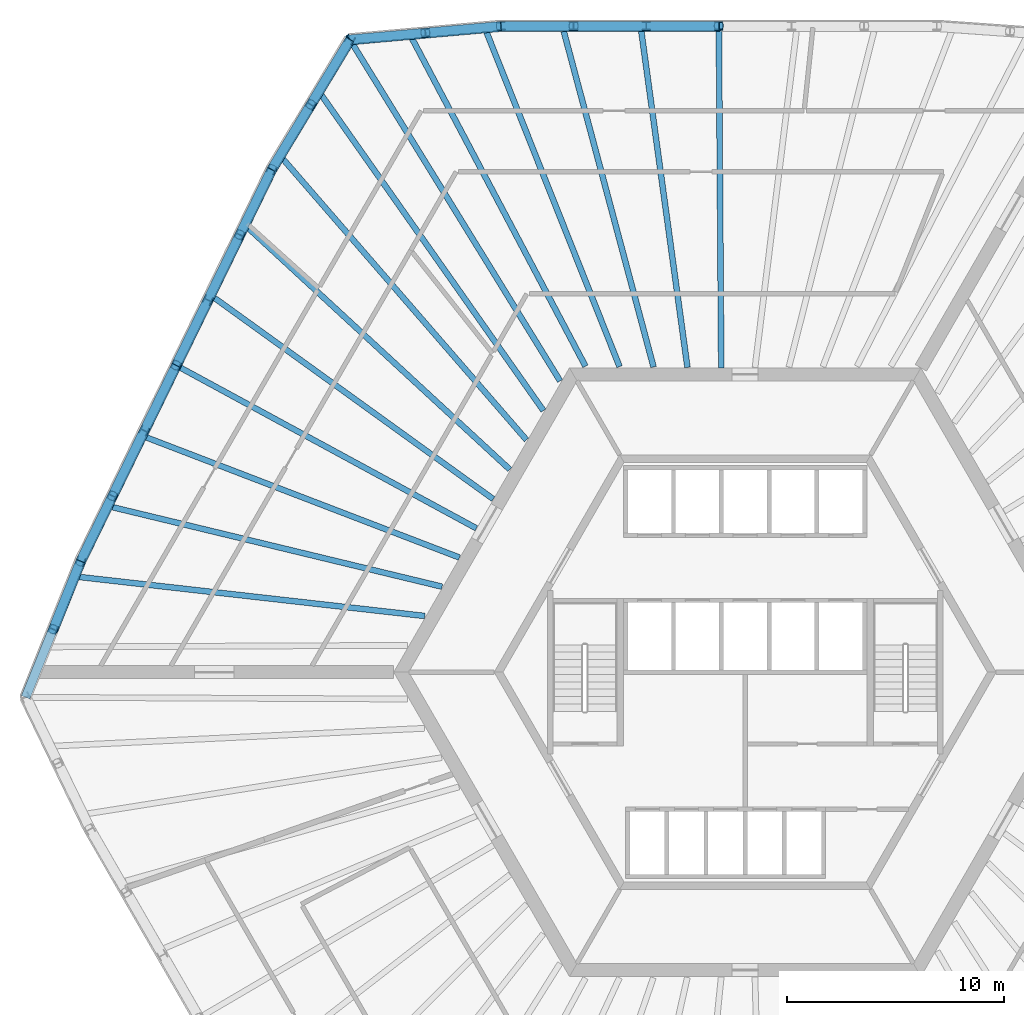
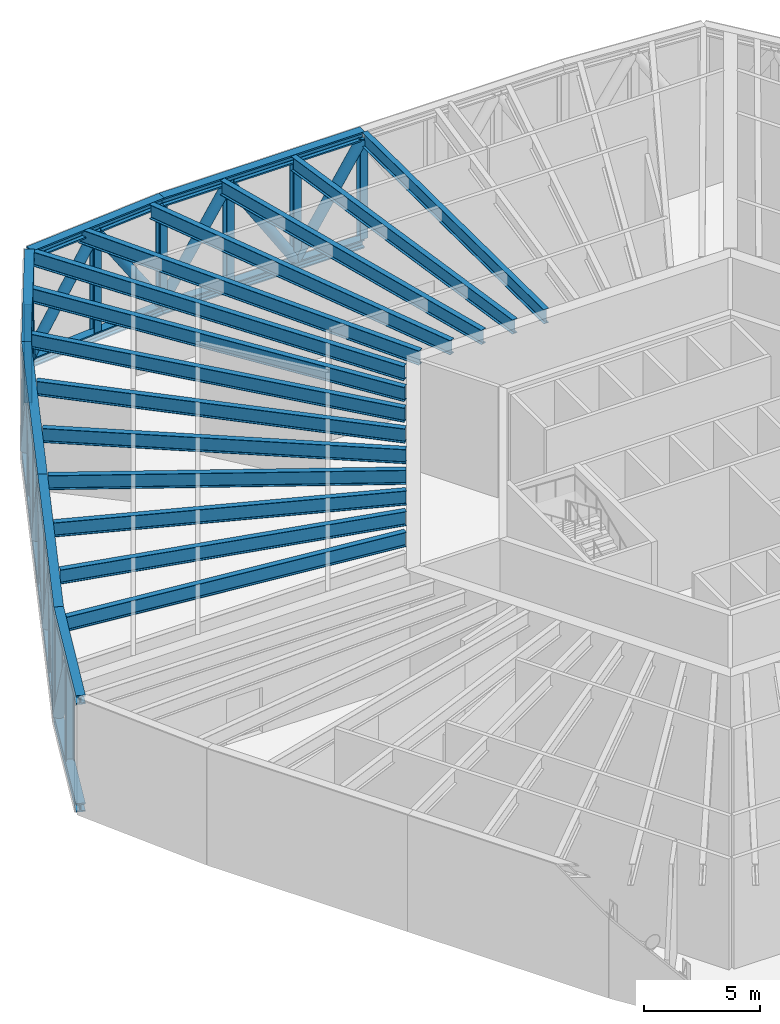
# One storey, part 3 of 11: 41 members, 14 beams.
"""IFC4 building model written with IfcOpenShell, lengths in metres."""

from ifc_helpers import new_model, si_unit, direction, frame, origin, origin_2d, place, context, subcontext, project, spatial, hollow_circle, i_section, extrude, material, material_profile, profile_set, type_object, element, save


model = new_model("IFC4")

# Units and contexts
model_context = context("Model", 3, precision=1e-05, world=origin(), true_north=direction((0.0, 1.0)))
body_context = subcontext(model_context, "Body", "Model", "MODEL_VIEW")
ifc_project = project(units=[si_unit("LENGTHUNIT", "METRE"), si_unit("AREAUNIT", "SQUARE_METRE"), si_unit("VOLUMEUNIT", "CUBIC_METRE"), si_unit("PLANEANGLEUNIT", "RADIAN"), si_unit("MASSUNIT", "GRAM", prefix="KILO")], contexts=[model_context])

# Site, building, storey
site_placement = place(None, origin())
site = spatial("IfcSite", under=ifc_project, at=site_placement, CompositionType="ELEMENT")
building_placement = place(site_placement, origin())
building = spatial("IfcBuilding", under=site, at=building_placement, Name="Tarnside Tower", CompositionType="ELEMENT")
storey_placement = place(building_placement, frame((0.0, 0.0, 31.5)))
storey = spatial("IfcBuildingStorey", under=building, at=storey_placement, Name="L05", CompositionType="ELEMENT", Elevation=31.5)

# Beams
ifc_material_1 = material(Name="Steel S355", Category="steel")
ifc_material_profile_1 = material_profile(ifc_material_1, i_section(OverallWidth=0.26513671875, OverallDepth=0.75390625, WebThickness=0.0126953125, FlangeThickness=0.017578125, FilletRadius=0.0166015625, at=origin_2d()), Name="UB 762x267x147")
ifc_profile_set_1 = profile_set([ifc_material_profile_1], Name="Steel S355")
beam_type_1 = type_object("IfcBeamType", Name="Floor beam UB 762x267x147", PredefinedType="BEAM", material=ifc_profile_set_1)
beam_1_placement = place(storey_placement, frame((-1.209716796875, 29.512939453125, 5.472900390625), z_axis=(0.007018917136, -0.999975367098, 0.0), x_axis=(0.999975367098, 0.007018917136, 0.0)))
element("IfcBeam", 1, at=beam_1_placement, inside=storey, type_object=beam_type_1, Name="Floor beam F1.05", PredefinedType="BEAM", context=body_context, shape_type="SweptSolid", body=[
    extrude(i_section(OverallWidth=0.26513671875, OverallDepth=0.75390625, WebThickness=0.0126953125, FlangeThickness=0.017578125, FilletRadius=0.0166015625, at=origin_2d()), origin(), (0.0, 0.0, 1.0), 15.513427734375),
])
beam_2_placement = place(storey_placement, frame((-4.779296875, 29.4931640625, 5.472900390625), z_axis=(0.13600950223, -0.990707532677, 0.0), x_axis=(0.990707532677, 0.13600950223, 0.0)))
element("IfcBeam", 2, at=beam_2_placement, inside=storey, type_object=beam_type_1, Name="Floor beam F1.06", PredefinedType="BEAM", context=body_context, shape_type="SweptSolid", body=[
    extrude(i_section(OverallWidth=0.26513671875, OverallDepth=0.75390625, WebThickness=0.0126953125, FlangeThickness=0.017578125, FilletRadius=0.0166015625, at=origin_2d()), origin(), (0.0, 0.0, 1.0), 15.618408203125),
])
beam_3_placement = place(storey_placement, frame((-24.400634765625, 17.20556640625, 5.472900390625), z_axis=(0.811027151529, -0.585008512316, 0.0), x_axis=(0.585008512316, 0.811027151529, 0.0)))
element("IfcBeam", 3, at=beam_3_placement, inside=storey, type_object=beam_type_1, Name="Floor beam F2.04", PredefinedType="BEAM", context=body_context, shape_type="SweptSolid", body=[
    extrude(i_section(OverallWidth=0.26513671875, OverallDepth=0.75390625, WebThickness=0.0126953125, FlangeThickness=0.017578125, FilletRadius=0.0166015625, at=origin_2d()), origin(), (0.0, 0.0, 1.0), 15.79541015625),
])
beam_4_placement = place(storey_placement, frame((-25.981689453125, 14.00830078125, 5.472900390625), z_axis=(0.878895910545, -0.477013604027, 0.0), x_axis=(0.477013604027, 0.878895910545, 0.0)))
element("IfcBeam", 4, at=beam_4_placement, inside=storey, type_object=beam_type_1, Name="Floor beam F2.05", PredefinedType="BEAM", context=body_context, shape_type="SweptSolid", body=[
    extrude(i_section(OverallWidth=0.26513671875, OverallDepth=0.75390625, WebThickness=0.0126953125, FlangeThickness=0.017578125, FilletRadius=0.0166015625, at=origin_2d()), origin(), (0.0, 0.0, 1.0), 15.490478515625),
])
beam_5_placement = place(storey_placement, frame((-27.54638671875, 10.800048828125, 5.472900390625), z_axis=(0.933614962745, -0.358277966582, 0.0), x_axis=(0.358277966582, 0.933614962745, 0.0)))
element("IfcBeam", 5, at=beam_5_placement, inside=storey, type_object=beam_type_1, Name="Floor beam F2.06", PredefinedType="BEAM", context=body_context, shape_type="SweptSolid", body=[
    extrude(i_section(OverallWidth=0.26513671875, OverallDepth=0.75390625, WebThickness=0.0126953125, FlangeThickness=0.017578125, FilletRadius=0.0166015625, at=origin_2d()), origin(), (0.0, 0.0, 1.0), 15.42626953125),
])
beam_6_placement = place(storey_placement, frame((-29.092041015625, 7.58740234375, 5.472900390625), z_axis=(0.972105364632, -0.234544580097, 0.0), x_axis=(0.234544580097, 0.972105364632, 0.0)))
element("IfcBeam", 6, at=beam_6_placement, inside=storey, type_object=beam_type_1, Name="Floor beam F2.07", PredefinedType="BEAM", context=body_context, shape_type="SweptSolid", body=[
    extrude(i_section(OverallWidth=0.26513671875, OverallDepth=0.75390625, WebThickness=0.0126953125, FlangeThickness=0.017578125, FilletRadius=0.0166015625, at=origin_2d()), origin(), (0.0, 0.0, 1.0), 15.586669921875),
])
ifc_material_profile_2 = material_profile(ifc_material_1, i_section(OverallWidth=0.2666015625, OverallDepth=0.76220703125, WebThickness=0.014404296875, FlangeThickness=0.021484375, FilletRadius=0.0166015625, at=origin_2d()), Name="UB 762x267x173")
ifc_profile_set_2 = profile_set([ifc_material_profile_2], Name="Steel S355")
beam_type_2 = type_object("IfcBeamType", Name="Floor beam UB 762x267x173", PredefinedType="BEAM", material=ifc_profile_set_2)
beam_7_placement = place(storey_placement, frame((-8.343994140625, 29.474365234375, 5.468994140625), z_axis=(0.258447128714, -0.966025404252, 0.0), x_axis=(0.966025404252, 0.258447128714, 0.0)))
element("IfcBeam", 7, at=beam_7_placement, inside=storey, type_object=beam_type_2, Name="Floor beam F1.07", PredefinedType="BEAM", context=body_context, shape_type="SweptSolid", body=[
    extrude(i_section(OverallWidth=0.2666015625, OverallDepth=0.76220703125, WebThickness=0.014404296875, FlangeThickness=0.021484375, FilletRadius=0.0166015625, at=origin_2d()), origin(), (0.0, 0.0, 1.0), 15.978759765625),
])
beam_8_placement = place(storey_placement, frame((-11.904541015625, 29.457275390625, 5.468994140625), z_axis=(0.369642836446, -0.929173919922, 0.0), x_axis=(0.929173919922, 0.369642836446, 0.0)))
element("IfcBeam", 8, at=beam_8_placement, inside=storey, type_object=beam_type_2, Name="Floor beam F1.08", PredefinedType="BEAM", context=body_context, shape_type="SweptSolid", body=[
    extrude(i_section(OverallWidth=0.2666015625, OverallDepth=0.76220703125, WebThickness=0.014404296875, FlangeThickness=0.021484375, FilletRadius=0.0166015625, at=origin_2d()), origin(), (0.0, 0.0, 1.0), 16.575439453125),
])
beam_9_placement = place(storey_placement, frame((-15.479248046875, 29.4423828125, 5.468994140625), z_axis=(0.46774710657, -0.883862344653, 0.0), x_axis=(0.883862344653, 0.46774710657, 0.0)))
element("IfcBeam", 9, at=beam_9_placement, inside=storey, type_object=beam_type_2, Name="Floor beam F1.09", PredefinedType="BEAM", context=body_context, shape_type="SweptSolid", body=[
    extrude(i_section(OverallWidth=0.2666015625, OverallDepth=0.76220703125, WebThickness=0.014404296875, FlangeThickness=0.021484375, FilletRadius=0.0166015625, at=origin_2d()), origin(), (0.0, 0.0, 1.0), 17.391357421875),
])
beam_10_placement = place(storey_placement, frame((-18.0751953125, 28.923828125, 5.468994140625), z_axis=(0.524378256301, -0.851485434003, 0.0), x_axis=(0.851485434003, 0.524378256301, 0.0)))
element("IfcBeam", 10, at=beam_10_placement, inside=storey, type_object=beam_type_2, Name="Floor beam C1", PredefinedType="BEAM", context=body_context, shape_type="SweptSolid", body=[
    extrude(i_section(OverallWidth=0.2666015625, OverallDepth=0.76220703125, WebThickness=0.014404296875, FlangeThickness=0.021484375, FilletRadius=0.0166015625, at=origin_2d()), origin(), (0.0, 0.0, 1.0), 18.23583984375),
])
beam_11_placement = place(storey_placement, frame((-19.68017578125, 26.814208984375, 5.468994140625), z_axis=(0.575415435617, -0.817861281914, 0.0), x_axis=(0.817861281914, 0.575415435617, 0.0)))
element("IfcBeam", 11, at=beam_11_placement, inside=storey, type_object=beam_type_2, Name="Floor beam F2.01", PredefinedType="BEAM", context=body_context, shape_type="SweptSolid", body=[
    extrude(i_section(OverallWidth=0.2666015625, OverallDepth=0.76220703125, WebThickness=0.014404296875, FlangeThickness=0.021484375, FilletRadius=0.0166015625, at=origin_2d()), origin(), (0.0, 0.0, 1.0), 18.072509765625),
])
beam_12_placement = place(storey_placement, frame((-21.260986328125, 23.606689453125, 5.468994140625), z_axis=(0.654974568131, -0.755650921459, 0.0), x_axis=(0.755650921459, 0.654974568131, 0.0)))
element("IfcBeam", 12, at=beam_12_placement, inside=storey, type_object=beam_type_2, Name="Floor beam F2.02", PredefinedType="BEAM", context=body_context, shape_type="SweptSolid", body=[
    extrude(i_section(OverallWidth=0.2666015625, OverallDepth=0.76220703125, WebThickness=0.014404296875, FlangeThickness=0.021484375, FilletRadius=0.0166015625, at=origin_2d()), origin(), (0.0, 0.0, 1.0), 17.0986328125),
])
beam_13_placement = place(storey_placement, frame((-22.83740234375, 20.4130859375, 5.468994140625), z_axis=(0.734714110708, -0.67837686836, 0.0), x_axis=(0.67837686836, 0.734714110708, 0.0)))
element("IfcBeam", 13, at=beam_13_placement, inside=storey, type_object=beam_type_2, Name="Floor beam F2.03", PredefinedType="BEAM", context=body_context, shape_type="SweptSolid", body=[
    extrude(i_section(OverallWidth=0.2666015625, OverallDepth=0.76220703125, WebThickness=0.014404296875, FlangeThickness=0.021484375, FilletRadius=0.0166015625, at=origin_2d()), origin(), (0.0, 0.0, 1.0), 16.34619140625),
])
beam_14_placement = place(storey_placement, frame((-30.636962890625, 4.380126953125, 5.468994140625), z_axis=(0.993688507382, -0.11217464195, 0.0), x_axis=(0.11217464195, 0.993688507382, 0.0)))
element("IfcBeam", 14, at=beam_14_placement, inside=storey, type_object=beam_type_2, Name="Floor beam F2.08", PredefinedType="BEAM", context=body_context, shape_type="SweptSolid", body=[
    extrude(i_section(OverallWidth=0.2666015625, OverallDepth=0.76220703125, WebThickness=0.014404296875, FlangeThickness=0.021484375, FilletRadius=0.0166015625, at=origin_2d()), origin(), (0.0, 0.0, 1.0), 16.001220703125),
])

# Members
ifc_material_2 = material(Name="Steel S460", Category="steel")
ifc_material_profile_3 = material_profile(ifc_material_2, i_section(OverallWidth=0.41845703125, OverallDepth=0.45556640625, WebThickness=0.0419921875, FlangeThickness=0.0673828125, FilletRadius=0.01513671875, at=origin_2d()), Name="UC 356x406x551")
ifc_profile_set_3 = profile_set([ifc_material_profile_3], Name="Steel S460")
member_type_1 = type_object("IfcMemberType", Name="Truss chord UC 356x406x551", PredefinedType="CHORD", material=ifc_profile_set_3)
member_1_placement = place(storey_placement, frame((-1.211181640625, 29.72509765625, -0.072265625), z_axis=(-1.0, 0.0, 0.0), x_axis=(0.0, -1.0, 0.0)))
element("IfcMember", 15, at=member_1_placement, inside=storey, type_object=member_type_1, Name="Transfer ring truss bottom chord L05 span M02", PredefinedType="CHORD", context=body_context, shape_type="SweptSolid", body=[
    extrude(i_section(OverallWidth=0.41845703125, OverallDepth=0.45556640625, WebThickness=0.0419921875, FlangeThickness=0.0673828125, FilletRadius=0.01513671875, at=origin_2d()), origin(), (0.0, 0.0, 1.0), 10.023681640625),
])
member_2_placement = place(storey_placement, frame((-11.23486328125, 29.72509765625, -0.072265625), z_axis=(-0.996038424618, -0.08892388141, 0.0), x_axis=(0.08892388141, -0.996038424618, 0.0)))
element("IfcMember", 16, at=member_2_placement, inside=storey, type_object=member_type_1, Name="Transfer ring truss bottom chord L05 span M03", PredefinedType="CHORD", context=body_context, shape_type="SweptSolid", body=[
    extrude(i_section(OverallWidth=0.41845703125, OverallDepth=0.45556640625, WebThickness=0.0419921875, FlangeThickness=0.0673828125, FilletRadius=0.01513671875, at=origin_2d()), origin(), (0.0, 0.0, 1.0), 6.97900390625),
])
member_3_placement = place(storey_placement, frame((-18.186279296875, 29.1044921875, -0.072265625), z_axis=(-0.516582733458, -0.856237279901, 0.0), x_axis=(0.856237279901, -0.516582733458, 0.0)))
element("IfcMember", 17, at=member_3_placement, inside=storey, type_object=member_type_1, Name="Transfer ring truss bottom chord L05 span M04", PredefinedType="CHORD", context=body_context, shape_type="SweptSolid", body=[
    extrude(i_section(OverallWidth=0.41845703125, OverallDepth=0.45556640625, WebThickness=0.0419921875, FlangeThickness=0.0673828125, FilletRadius=0.01513671875, at=origin_2d()), origin(), (0.0, 0.0, 1.0), 6.9794921875),
])
for number, where, z_axis, x_axis, name in (
    (18, (-21.791748046875, 23.12841796875, -0.072265625), (-0.438365086967, -0.898797001847, 0.0), (0.898797001847, -0.438365086967, 0.0), "Transfer ring truss bottom chord L05 span M05"),
    (19, (-26.185791015625, 14.119140625, -0.072265625), (-0.438365086967, -0.898797001847, 0.0), (0.898797001847, -0.438365086967, 0.0), "Transfer ring truss bottom chord L05 span M06"),
):
    element("IfcMember", number, at=place(storey_placement, frame(where, z_axis=z_axis, x_axis=x_axis)), inside=storey, type_object=member_type_1, Name=name, PredefinedType="CHORD", context=body_context, shape_type="SweptSolid", body=[
        extrude(i_section(OverallWidth=0.41845703125, OverallDepth=0.45556640625, WebThickness=0.0419921875, FlangeThickness=0.0673828125, FilletRadius=0.01513671875, at=origin_2d()), origin(), (0.0, 0.0, 1.0), 10.023681640625),
    ])
member_4_placement = place(storey_placement, frame((-30.579833984375, 5.10986328125, -0.072265625), z_axis=(-0.373446269903, -0.927651811563, 0.0), x_axis=(0.927651811563, -0.373446269903, 0.0)))
element("IfcMember", 20, at=member_4_placement, inside=storey, type_object=member_type_1, Name="Transfer ring truss bottom chord L05 span M07", PredefinedType="CHORD", context=body_context, shape_type="SweptSolid", body=[
    extrude(i_section(OverallWidth=0.41845703125, OverallDepth=0.45556640625, WebThickness=0.0419921875, FlangeThickness=0.0673828125, FilletRadius=0.01513671875, at=origin_2d()), origin(), (0.0, 0.0, 1.0), 6.754638671875),
])
ifc_material_profile_4 = material_profile(ifc_material_2, i_section(OverallWidth=0.424072265625, OverallDepth=0.474609375, WebThickness=0.047607421875, FlangeThickness=0.076904296875, FilletRadius=0.01513671875, at=origin_2d()), Name="UC 356x406x634")
ifc_profile_set_4 = profile_set([ifc_material_profile_4], Name="Steel S460")
member_type_2 = type_object("IfcMemberType", Name="Truss chord UC 356x406x634", PredefinedType="CHORD", material=ifc_profile_set_4)
member_5_placement = place(storey_placement, frame((-1.211181640625, 29.72509765625, 5.61279296875), z_axis=(-1.0, 0.0, 0.0), x_axis=(0.0, -1.0, 0.0)))
element("IfcMember", 21, at=member_5_placement, inside=storey, type_object=member_type_2, Name="Transfer ring truss top chord L05 span M02", PredefinedType="CHORD", context=body_context, shape_type="SweptSolid", body=[
    extrude(i_section(OverallWidth=0.424072265625, OverallDepth=0.474609375, WebThickness=0.047607421875, FlangeThickness=0.076904296875, FilletRadius=0.01513671875, at=origin_2d()), origin(), (0.0, 0.0, 1.0), 10.023681640625),
])
member_6_placement = place(storey_placement, frame((-11.23486328125, 29.72509765625, 5.61279296875), z_axis=(-0.996038424618, -0.08892388141, 0.0), x_axis=(0.08892388141, -0.996038424618, 0.0)))
element("IfcMember", 22, at=member_6_placement, inside=storey, type_object=member_type_2, Name="Transfer ring truss top chord L05 span M03", PredefinedType="CHORD", context=body_context, shape_type="SweptSolid", body=[
    extrude(i_section(OverallWidth=0.424072265625, OverallDepth=0.474609375, WebThickness=0.047607421875, FlangeThickness=0.076904296875, FilletRadius=0.01513671875, at=origin_2d()), origin(), (0.0, 0.0, 1.0), 6.97900390625),
])
member_7_placement = place(storey_placement, frame((-18.186279296875, 29.1044921875, 5.61279296875), z_axis=(-0.516582733458, -0.856237279901, 0.0), x_axis=(0.856237279901, -0.516582733458, 0.0)))
element("IfcMember", 23, at=member_7_placement, inside=storey, type_object=member_type_2, Name="Transfer ring truss top chord L05 span M04", PredefinedType="CHORD", context=body_context, shape_type="SweptSolid", body=[
    extrude(i_section(OverallWidth=0.424072265625, OverallDepth=0.474609375, WebThickness=0.047607421875, FlangeThickness=0.076904296875, FilletRadius=0.01513671875, at=origin_2d()), origin(), (0.0, 0.0, 1.0), 6.9794921875),
])
for number, where, z_axis, x_axis, name in (
    (24, (-21.791748046875, 23.12841796875, 5.61279296875), (-0.438365086967, -0.898797001847, 0.0), (0.898797001847, -0.438365086967, 0.0), "Transfer ring truss top chord L05 span M05"),
    (25, (-26.185791015625, 14.119140625, 5.61279296875), (-0.438365086967, -0.898797001847, 0.0), (0.898797001847, -0.438365086967, 0.0), "Transfer ring truss top chord L05 span M06"),
):
    element("IfcMember", number, at=place(storey_placement, frame(where, z_axis=z_axis, x_axis=x_axis)), inside=storey, type_object=member_type_2, Name=name, PredefinedType="CHORD", context=body_context, shape_type="SweptSolid", body=[
        extrude(i_section(OverallWidth=0.424072265625, OverallDepth=0.474609375, WebThickness=0.047607421875, FlangeThickness=0.076904296875, FilletRadius=0.01513671875, at=origin_2d()), origin(), (0.0, 0.0, 1.0), 10.023681640625),
    ])
member_8_placement = place(storey_placement, frame((-30.579833984375, 5.10986328125, 5.61279296875), z_axis=(-0.373446269903, -0.927651811563, 0.0), x_axis=(0.927651811563, -0.373446269903, 0.0)))
element("IfcMember", 26, at=member_8_placement, inside=storey, type_object=member_type_2, Name="Transfer ring truss top chord L05 span M07", PredefinedType="CHORD", context=body_context, shape_type="SweptSolid", body=[
    extrude(i_section(OverallWidth=0.424072265625, OverallDepth=0.474609375, WebThickness=0.047607421875, FlangeThickness=0.076904296875, FilletRadius=0.01513671875, at=origin_2d()), origin(), (0.0, 0.0, 1.0), 6.754638671875),
])
ifc_material_profile_5 = material_profile(ifc_material_1, hollow_circle(Radius=0.25390625, WallThickness=0.01611328125, at=origin_2d()), Name="CHS 508x16")
ifc_profile_set_5 = profile_set([ifc_material_profile_5], Name="Steel S355")
member_type_3 = type_object("IfcMemberType", Name="Truss diagonal CHS 508x16", PredefinedType="BRACE", material=ifc_profile_set_5)
for number, where, z_axis, x_axis, name in (
    (27, (-1.211181640625, 29.72509765625, 5.37548828125), (-0.53908611322, 0.0, -0.842250653033), (0.0, -1.0, 0.0), "Transfer ring truss diagonal L05 4"),
    (28, (-4.55224609375, 29.72509765625, 0.155517578125), (-0.539114056811, 0.0, 0.842232766965), (0.0, -1.0, 0.0), "Transfer ring truss diagonal L05 5"),
    (29, (-7.8935546875, 29.72509765625, 5.37548828125), (-0.539114056811, 0.0, -0.842232766965), (0.0, -1.0, 0.0), "Transfer ring truss diagonal L05 6"),
):
    element("IfcMember", number, at=place(storey_placement, frame(where, z_axis=z_axis, x_axis=x_axis)), inside=storey, type_object=member_type_3, Name=name, PredefinedType="BRACE", context=body_context, shape_type="SweptSolid", body=[
        extrude(hollow_circle(Radius=0.25390625, WallThickness=0.01611328125, at=origin_2d()), origin(), (0.0, 0.0, 1.0), 6.19775390625),
    ])
member_9_placement = place(storey_placement, frame((-11.23486328125, 29.72509765625, 0.155517578125), z_axis=(-0.553564725952, -0.049419173048, 0.831338582959), x_axis=(0.088920783118, -0.996038701221, 0.0)))
element("IfcMember", 30, at=member_9_placement, inside=storey, type_object=member_type_3, Name="Transfer ring truss diagonal L05 7", PredefinedType="BRACE", context=body_context, shape_type="SweptSolid", body=[
    extrude(hollow_circle(Radius=0.25390625, WallThickness=0.01611328125, at=origin_2d()), origin(), (0.0, 0.0, 1.0), 6.279052734375),
])
member_10_placement = place(storey_placement, frame((-14.710693359375, 29.414794921875, 5.37548828125), z_axis=(-0.553537757762, -0.049420236732, -0.831356476448), x_axis=(0.088926979916, -0.996038147986, 0.0)))
element("IfcMember", 31, at=member_10_placement, inside=storey, type_object=member_type_3, Name="Transfer ring truss diagonal L05 8", PredefinedType="BRACE", context=body_context, shape_type="SweptSolid", body=[
    extrude(hollow_circle(Radius=0.25390625, WallThickness=0.01611328125, at=origin_2d()), origin(), (0.0, 0.0, 1.0), 6.27880859375),
])
for number, where, z_axis, x_axis, name in (
    (32, (-18.186279296875, 29.1044921875, 0.155517578125), (-0.287103619478, -0.475875026921, 0.831332948003), (0.856237279901, -0.516582733458, 0.0), "Transfer ring truss diagonal L05 9"),
    (33, (-19.989013671875, 26.116455078125, 5.37548828125), (-0.287103619478, -0.475875026921, -0.831332948003), (0.856237279901, -0.516582733458, 0.0), "Transfer ring truss diagonal L05 10"),
):
    element("IfcMember", number, at=place(storey_placement, frame(where, z_axis=z_axis, x_axis=x_axis)), inside=storey, type_object=member_type_3, Name=name, PredefinedType="BRACE", context=body_context, shape_type="SweptSolid", body=[
        extrude(hollow_circle(Radius=0.25390625, WallThickness=0.01611328125, at=origin_2d()), origin(), (0.0, 0.0, 1.0), 6.279052734375),
    ])
for number, where, z_axis, x_axis, name in (
    (34, (-21.791748046875, 23.12841796875, 0.155517578125), (-0.23631121209, -0.484558129674, 0.842235376844), (0.898811278038, -0.438335814726, 0.0), "Transfer ring truss diagonal L05 11"),
    (35, (-23.25634765625, 20.125244140625, 5.37548828125), (-0.236352914769, -0.484523475277, -0.842243611781), (0.898768445644, -0.438423632021, 0.0), "Transfer ring truss diagonal L05 12"),
    (36, (-24.72119140625, 17.122314453125, 0.155517578125), (-0.23631121209, -0.484558129674, 0.842235376844), (0.898811278038, -0.438335814726, 0.0), "Transfer ring truss diagonal L05 13"),
    (37, (-26.185791015625, 14.119140625, 5.37548828125), (-0.23631121209, -0.484558129674, -0.842235376844), (0.898811278038, -0.438335814726, 0.0), "Transfer ring truss diagonal L05 14"),
    (38, (-27.650390625, 11.115966796875, 0.155517578125), (-0.23631121209, -0.484558129674, 0.842235376844), (0.898811278038, -0.438335814726, 0.0), "Transfer ring truss diagonal L05 15"),
    (39, (-29.114990234375, 8.11279296875, 5.37548828125), (-0.236352914769, -0.484523475277, -0.842243611781), (0.898768445644, -0.438423632021, 0.0), "Transfer ring truss diagonal L05 16"),
):
    element("IfcMember", number, at=place(storey_placement, frame(where, z_axis=z_axis, x_axis=x_axis)), inside=storey, type_object=member_type_3, Name=name, PredefinedType="BRACE", context=body_context, shape_type="SweptSolid", body=[
        extrude(hollow_circle(Radius=0.25390625, WallThickness=0.01611328125, at=origin_2d()), origin(), (0.0, 0.0, 1.0), 6.19775390625),
    ])
member_11_placement = place(storey_placement, frame((-30.579833984375, 5.10986328125, 0.155517578125), z_axis=(-0.202862188138, -0.503896166896, 0.839604422101), x_axis=(0.927646770503, -0.373458791803, 0.0)))
element("IfcMember", 40, at=member_11_placement, inside=storey, type_object=member_type_3, Name="Transfer ring truss diagonal L05 17", PredefinedType="BRACE", context=body_context, shape_type="SweptSolid", body=[
    extrude(hollow_circle(Radius=0.25390625, WallThickness=0.01611328125, at=origin_2d()), origin(), (0.0, 0.0, 1.0), 6.21728515625),
])
ifc_material_profile_6 = material_profile(ifc_material_1, i_section(OverallWidth=0.374755859375, OverallDepth=0.37451171875, WebThickness=0.0166015625, FlangeThickness=0.027099609375, FilletRadius=0.01513671875, at=origin_2d()), Name="UC 356x368x202")
ifc_profile_set_6 = profile_set([ifc_material_profile_6], Name="Steel S355")
member_type_4 = type_object("IfcMemberType", Name="Truss post UC 356x368x202", PredefinedType="POST", material=ifc_profile_set_6)
for number, where, z_axis, x_axis, name in (
    (41, (-1.211181640625, 29.72509765625, 0.155517578125), (0.0, 0.0, 1.0), (-1.0, 0.0, 0.0), "Transfer ring truss post L05 4"),
    (42, (-4.55224609375, 29.72509765625, 0.155517578125), (0.0, 0.0, 1.0), (-1.0, 0.0, 0.0), "Transfer ring truss post L05 5"),
    (43, (-7.8935546875, 29.72509765625, 0.155517578125), (0.0, 0.0, 1.0), (-1.0, 0.0, 0.0), "Transfer ring truss post L05 6"),
    (44, (-11.23486328125, 29.72509765625, 0.155517578125), (0.0, 0.0, 1.0), (-0.996038719849, -0.088920574456, 0.0), "Transfer ring truss post L05 7"),
    (45, (-14.710693359375, 29.414794921875, 0.155517578125), (0.0, 0.0, 1.0), (-0.996038719849, -0.088920574456, 0.0), "Transfer ring truss post L05 8"),
    (46, (-18.186279296875, 29.1044921875, 0.155517578125), (0.0, 0.0, 1.0), (-0.516555918781, -0.856253457086, 0.0), "Transfer ring truss post L05 9"),
    (47, (-19.989013671875, 26.116455078125, 0.155517578125), (0.0, 0.0, 1.0), (-0.516555918781, -0.856253457086, 0.0), "Transfer ring truss post L05 10"),
    (48, (-21.791748046875, 23.12841796875, 0.155517578125), (0.0, 0.0, 1.0), (-0.438371146789, -0.898794046299, 0.0), "Transfer ring truss post L05 11"),
    (49, (-23.25634765625, 20.125244140625, 0.155517578125), (0.0, 0.0, 1.0), (-0.438371146789, -0.898794046299, 0.0), "Transfer ring truss post L05 12"),
    (50, (-24.72119140625, 17.122314453125, 0.155517578125), (0.0, 0.0, 1.0), (-0.438371146789, -0.898794046299, 0.0), "Transfer ring truss post L05 13"),
    (51, (-26.185791015625, 14.119140625, 0.155517578125), (0.0, 0.0, 1.0), (-0.438371146789, -0.898794046299, 0.0), "Transfer ring truss post L05 14"),
    (52, (-27.650390625, 11.115966796875, 0.155517578125), (0.0, 0.0, 1.0), (-0.438371146789, -0.898794046299, 0.0), "Transfer ring truss post L05 15"),
    (53, (-29.114990234375, 8.11279296875, 0.155517578125), (0.0, 0.0, 1.0), (-0.438371146789, -0.898794046299, 0.0), "Transfer ring truss post L05 16"),
    (54, (-30.579833984375, 5.10986328125, 0.155517578125), (0.0, 0.0, 1.0), (-0.373451762055, -0.927649600559, 0.0), "Transfer ring truss post L05 17"),
    (55, (-31.841064453125, 1.97705078125, 0.155517578125), (0.0, 0.0, 1.0), (-0.373451762055, -0.927649600559, 0.0), "Transfer ring truss post L05 18"),
):
    element("IfcMember", number, at=place(storey_placement, frame(where, z_axis=z_axis, x_axis=x_axis)), inside=storey, type_object=member_type_4, Name=name, PredefinedType="POST", context=body_context, shape_type="SweptSolid", body=[
        extrude(i_section(OverallWidth=0.374755859375, OverallDepth=0.37451171875, WebThickness=0.0166015625, FlangeThickness=0.027099609375, FilletRadius=0.01513671875, at=origin_2d()), origin(), (0.0, 0.0, 1.0), 5.219970703125),
    ])

save(model, "model.ifc")
